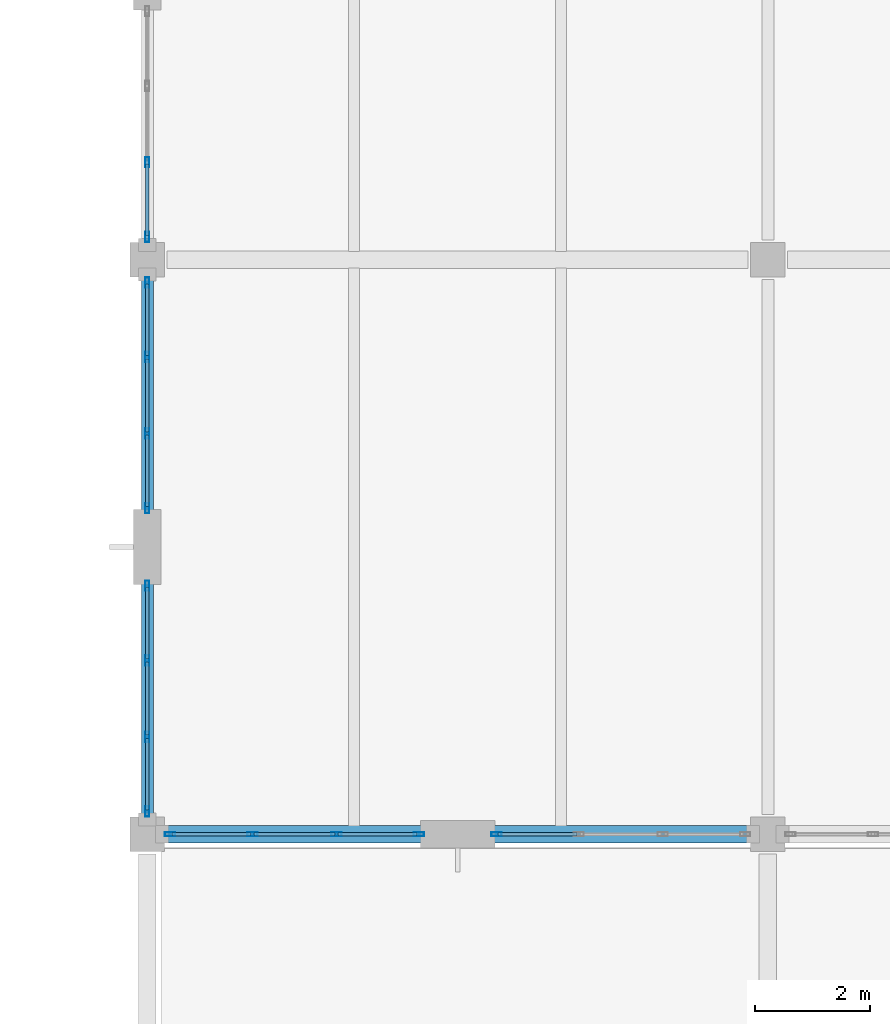
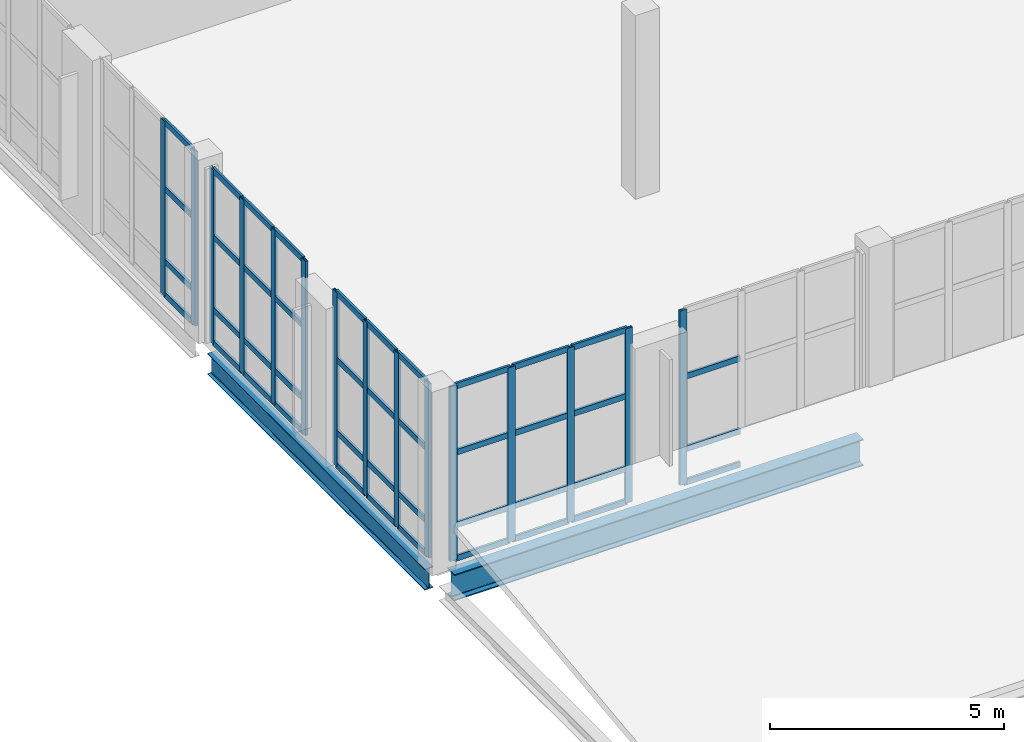
# One storey, part 25 of 100: 58 members, 2 beams, 5 elements without a shape of their own.
"""IFC4 building model written with IfcOpenShell, lengths in metres."""

from ifc_helpers import new_model, si_unit, direction, frame, origin, origin_2d, place, context, subcontext, project, spatial, hollow_rectangle, i_section, extrude, material, layer, layer_set, material_profile, profile_set, type_object, element, aggregate, save


model = new_model("IFC4")

# Units and contexts
model_context = context("Model", 3, precision=1e-05, world=origin(), true_north=direction((0.0, 1.0)))
body_context = subcontext(model_context, "Body", "Model", "MODEL_VIEW")
ifc_project = project(units=[si_unit("LENGTHUNIT", "METRE"), si_unit("AREAUNIT", "SQUARE_METRE"), si_unit("VOLUMEUNIT", "CUBIC_METRE"), si_unit("PLANEANGLEUNIT", "RADIAN"), si_unit("MASSUNIT", "GRAM", prefix="KILO")], contexts=[model_context])

# Site, building, storey
site_placement = place(None, origin())
site = spatial("IfcSite", under=ifc_project, at=site_placement, CompositionType="ELEMENT")
building_placement = place(site_placement, origin())
building = spatial("IfcBuilding", under=site, at=building_placement, Name="Tasgan Crest Museum", CompositionType="ELEMENT")
storey_placement = place(building_placement, frame((0.0, 0.0, 9.60009765625)))
storey = spatial("IfcBuildingStorey", under=building, at=storey_placement, Name="L02", CompositionType="ELEMENT", Elevation=9.60009765625)

# Beams
ifc_material_1 = material(Name="Steel S355K2", Category="steel")
ifc_material_profile_1 = material_profile(ifc_material_1, i_section(OverallWidth=0.300048828125, OverallDepth=0.68994140625, WebThickness=0.014404296875, FlangeThickness=0.027099609375, FilletRadius=0.027099609375, at=origin_2d()), Name="HEA 700")
ifc_profile_set_1 = profile_set([ifc_material_profile_1], Name="Steel S355K2")
beam_type_1 = type_object("IfcBeamType", Name="BM-G-HEA700", PredefinedType="BEAM", material=ifc_profile_set_1)
beam_1_placement = place(storey_placement, frame((108.345947265625, 20.0, -0.625), z_axis=(1.0, 0.0, 0.0), x_axis=(0.0, 1.0, 0.0)))
element("IfcBeam", 1, at=beam_1_placement, inside=storey, type_object=beam_type_1, Name="Girder L02 C 108.0-118.8", PredefinedType="BEAM", context=body_context, shape_type="SweptSolid", body=[
    extrude(i_section(OverallWidth=0.300048828125, OverallDepth=0.68994140625, WebThickness=0.014404296875, FlangeThickness=0.027099609375, FilletRadius=0.027099609375, at=origin_2d()), origin(), (0.0, 0.0, 1.0), 10.108154296875),
])
ifc_material_2 = material(Name="Steel S355J2", Category="steel")
ifc_material_profile_2 = material_profile(ifc_material_2, i_section(OverallWidth=0.2099609375, OverallDepth=0.550048828125, WebThickness=0.010986328125, FlangeThickness=0.01708984375, FilletRadius=0.02392578125, at=origin_2d()), Name="IPE 550")
ifc_profile_set_2 = profile_set([ifc_material_profile_2], Name="Steel S355J2")
beam_type_2 = type_object("IfcBeamType", Name="BM-G-IPE550", PredefinedType="BEAM", material=ifc_profile_set_2)
beam_2_placement = place(storey_placement, frame((108.0, 20.344970703125, -0.55517578125), z_axis=(0.0, 1.0, 0.0), x_axis=(-1.0, 0.0, 0.0)))
element("IfcBeam", 2, at=beam_2_placement, inside=storey, type_object=beam_type_2, Name="Beam L02 11 20.0-30.0", PredefinedType="BEAM", context=body_context, shape_type="SweptSolid", body=[
    extrude(i_section(OverallWidth=0.2099609375, OverallDepth=0.550048828125, WebThickness=0.010986328125, FlangeThickness=0.01708984375, FilletRadius=0.02392578125, at=origin_2d()), origin(), (0.0, 0.0, 1.0), 9.31005859375),
])

# Curtain wall, members
ifc_material_3 = material(Name="Triple-Glazed Aluminium Curtain Wall", Category="aluminium")
ifc_layer_1 = layer(ifc_material_3, 0.179931640625, Name="CW-GAL-Y-48")
ifc_layer_set_1 = layer_set([ifc_layer_1], Name="Triple-Glazed Aluminium Curtain Wall")
curtain_wall_type_1 = type_object("IfcCurtainWallType", Name="CW-GAL-Y-48", PredefinedType="NOTDEFINED", material=ifc_layer_set_1)
curtain_wall_1_placement = place(storey_placement, origin())
curtain_wall_1 = element("IfcCurtainWall", 3, at=curtain_wall_1_placement, inside=storey, type_object=curtain_wall_type_1, Name="Curtain wall L02 062", PredefinedType="NOTDEFINED")
ifc_material_4 = material(Name="Anodised Aluminium", Category="aluminium")
ifc_material_profile_3 = material_profile(ifc_material_4, hollow_rectangle(XDim=0.06494140625, YDim=0.179931640625, WallThickness=0.0048828125, at=origin_2d()), Name="ALU MULLION 180x65x5")
ifc_profile_set_3 = profile_set([ifc_material_profile_3], Name="Anodised Aluminium")
member_type_1 = type_object("IfcMemberType", Name="CW-MULLION-180", PredefinedType="MULLION", material=ifc_profile_set_3)
member_1_placement = place(storey_placement, frame((108.0, 31.695068359375, 0.0), z_axis=(0.0, 0.0, 1.0), x_axis=(1.0, 0.0, 0.0)))
member_1 = element("IfcMember", 4, at=member_1_placement, type_object=member_type_1, Name="CW16 mullion 3", PredefinedType="MULLION", context=body_context, shape_type="SweptSolid", body=[
    extrude(hollow_rectangle(XDim=0.06494140625, YDim=0.179931640625, WallThickness=0.0048828125, at=origin_2d()), origin(), (0.0, 0.0, 1.0), 4.559814453125),
])
member_2_placement = place(storey_placement, frame((108.0, 30.39501953125, 0.0), z_axis=(0.0, 0.0, 1.0), x_axis=(1.0, 0.0, 0.0)))
member_2 = element("IfcMember", 5, at=member_2_placement, type_object=member_type_1, Name="CW16 mullion 4", PredefinedType="MULLION", context=body_context, shape_type="SweptSolid", body=[
    extrude(hollow_rectangle(XDim=0.06494140625, YDim=0.179931640625, WallThickness=0.0048828125, at=origin_2d()), origin(), (0.0, 0.0, 1.0), 4.559814453125),
])

curtain_wall_2_placement = place(storey_placement, origin())
curtain_wall_2 = element("IfcCurtainWall", 6, at=curtain_wall_2_placement, inside=storey, type_object=curtain_wall_type_1, Name="Curtain wall L02 063", PredefinedType="NOTDEFINED")
member_3_placement = place(storey_placement, frame((108.0, 29.60498046875, 0.0), z_axis=(0.0, 0.0, 1.0), x_axis=(1.0, 0.0, 0.0)))
member_3 = element("IfcMember", 7, at=member_3_placement, type_object=member_type_1, Name="CW16 mullion 1", PredefinedType="MULLION", context=body_context, shape_type="SweptSolid", body=[
    extrude(hollow_rectangle(XDim=0.06494140625, YDim=0.179931640625, WallThickness=0.0048828125, at=origin_2d()), origin(), (0.0, 0.0, 1.0), 4.559814453125),
])
member_4_placement = place(storey_placement, frame((108.0, 28.304931640625, 0.0), z_axis=(0.0, 0.0, 1.0), x_axis=(1.0, 0.0, 0.0)))
member_4 = element("IfcMember", 8, at=member_4_placement, type_object=member_type_1, Name="CW16 mullion 2", PredefinedType="MULLION", context=body_context, shape_type="SweptSolid", body=[
    extrude(hollow_rectangle(XDim=0.06494140625, YDim=0.179931640625, WallThickness=0.0048828125, at=origin_2d()), origin(), (0.0, 0.0, 1.0), 4.559814453125),
])
member_5_placement = place(storey_placement, frame((108.0, 26.97509765625, 0.0), z_axis=(0.0, 0.0, 1.0), x_axis=(1.0, 0.0, 0.0)))
member_5 = element("IfcMember", 9, at=member_5_placement, type_object=member_type_1, Name="CW16 mullion 3", PredefinedType="MULLION", context=body_context, shape_type="SweptSolid", body=[
    extrude(hollow_rectangle(XDim=0.06494140625, YDim=0.179931640625, WallThickness=0.0048828125, at=origin_2d()), origin(), (0.0, 0.0, 1.0), 4.559814453125),
])
member_6_placement = place(storey_placement, frame((108.0, 25.675048828125, 0.0), z_axis=(0.0, 0.0, 1.0), x_axis=(1.0, 0.0, 0.0)))
member_6 = element("IfcMember", 10, at=member_6_placement, type_object=member_type_1, Name="CW16 mullion 4", PredefinedType="MULLION", context=body_context, shape_type="SweptSolid", body=[
    extrude(hollow_rectangle(XDim=0.06494140625, YDim=0.179931640625, WallThickness=0.0048828125, at=origin_2d()), origin(), (0.0, 0.0, 1.0), 4.559814453125),
])

curtain_wall_3_placement = place(storey_placement, origin())
curtain_wall_3 = element("IfcCurtainWall", 11, at=curtain_wall_3_placement, inside=storey, type_object=curtain_wall_type_1, Name="Curtain wall L02 064", PredefinedType="NOTDEFINED")
member_7_placement = place(storey_placement, frame((108.0, 24.324951171875, 0.0), z_axis=(0.0, 0.0, 1.0), x_axis=(1.0, 0.0, 0.0)))
member_7 = element("IfcMember", 12, at=member_7_placement, type_object=member_type_1, Name="CW16 mullion 1", PredefinedType="MULLION", context=body_context, shape_type="SweptSolid", body=[
    extrude(hollow_rectangle(XDim=0.06494140625, YDim=0.179931640625, WallThickness=0.0048828125, at=origin_2d()), origin(), (0.0, 0.0, 1.0), 4.559814453125),
])
member_8_placement = place(storey_placement, frame((108.0, 23.02490234375, 0.0), z_axis=(0.0, 0.0, 1.0), x_axis=(1.0, 0.0, 0.0)))
member_8 = element("IfcMember", 13, at=member_8_placement, type_object=member_type_1, Name="CW16 mullion 2", PredefinedType="MULLION", context=body_context, shape_type="SweptSolid", body=[
    extrude(hollow_rectangle(XDim=0.06494140625, YDim=0.179931640625, WallThickness=0.0048828125, at=origin_2d()), origin(), (0.0, 0.0, 1.0), 4.559814453125),
])
member_9_placement = place(storey_placement, frame((108.0, 21.695068359375, 0.0), z_axis=(0.0, 0.0, 1.0), x_axis=(1.0, 0.0, 0.0)))
member_9 = element("IfcMember", 14, at=member_9_placement, type_object=member_type_1, Name="CW16 mullion 3", PredefinedType="MULLION", context=body_context, shape_type="SweptSolid", body=[
    extrude(hollow_rectangle(XDim=0.06494140625, YDim=0.179931640625, WallThickness=0.0048828125, at=origin_2d()), origin(), (0.0, 0.0, 1.0), 4.559814453125),
])
member_10_placement = place(storey_placement, frame((108.0, 20.39501953125, 0.0), z_axis=(0.0, 0.0, 1.0), x_axis=(1.0, 0.0, 0.0)))
member_10 = element("IfcMember", 15, at=member_10_placement, type_object=member_type_1, Name="CW16 mullion 4", PredefinedType="MULLION", context=body_context, shape_type="SweptSolid", body=[
    extrude(hollow_rectangle(XDim=0.06494140625, YDim=0.179931640625, WallThickness=0.0048828125, at=origin_2d()), origin(), (0.0, 0.0, 1.0), 4.559814453125),
])

ifc_material_5 = material(Name="Triple-Glazed Aluminium Curtain Wall", Category="aluminium")
ifc_layer_2 = layer(ifc_material_5, 0.179931640625, Name="CW-GAL-X-48")
ifc_layer_set_2 = layer_set([ifc_layer_2], Name="Triple-Glazed Aluminium Curtain Wall")
curtain_wall_type_2 = type_object("IfcCurtainWallType", Name="CW-GAL-X-48", PredefinedType="NOTDEFINED", material=ifc_layer_set_2)
curtain_wall_4_placement = place(storey_placement, origin())
curtain_wall_4 = element("IfcCurtainWall", 16, at=curtain_wall_4_placement, inside=storey, type_object=curtain_wall_type_2, Name="Curtain wall L02 065", PredefinedType="NOTDEFINED")
member_11_placement = place(storey_placement, frame((108.39501953125, 20.0, 0.0), z_axis=(0.0, 0.0, 1.0), x_axis=(0.0, 1.0, 0.0)))
member_11 = element("IfcMember", 17, at=member_11_placement, type_object=member_type_1, Name="CW13 mullion 1", PredefinedType="MULLION", context=body_context, shape_type="SweptSolid", body=[
    extrude(hollow_rectangle(XDim=0.06494140625, YDim=0.179931640625, WallThickness=0.0048828125, at=origin_2d()), origin(), (0.0, 0.0, 1.0), 4.559814453125),
])
member_12_placement = place(storey_placement, frame((109.828369140625, 20.0, 0.0), z_axis=(0.0, 0.0, 1.0), x_axis=(0.0, 1.0, 0.0)))
member_12 = element("IfcMember", 18, at=member_12_placement, type_object=member_type_1, Name="CW13 mullion 2", PredefinedType="MULLION", context=body_context, shape_type="SweptSolid", body=[
    extrude(hollow_rectangle(XDim=0.06494140625, YDim=0.179931640625, WallThickness=0.0048828125, at=origin_2d()), origin(), (0.0, 0.0, 1.0), 4.559814453125),
])
member_13_placement = place(storey_placement, frame((111.291748046875, 20.0, 0.0), z_axis=(0.0, 0.0, 1.0), x_axis=(0.0, 1.0, 0.0)))
member_13 = element("IfcMember", 19, at=member_13_placement, type_object=member_type_1, Name="CW13 mullion 3", PredefinedType="MULLION", context=body_context, shape_type="SweptSolid", body=[
    extrude(hollow_rectangle(XDim=0.06494140625, YDim=0.179931640625, WallThickness=0.0048828125, at=origin_2d()), origin(), (0.0, 0.0, 1.0), 4.559814453125),
])
member_14_placement = place(storey_placement, frame((112.72509765625, 20.0, 0.0), z_axis=(0.0, 0.0, 1.0), x_axis=(0.0, 1.0, 0.0)))
member_14 = element("IfcMember", 20, at=member_14_placement, type_object=member_type_1, Name="CW13 mullion 4", PredefinedType="MULLION", context=body_context, shape_type="SweptSolid", body=[
    extrude(hollow_rectangle(XDim=0.06494140625, YDim=0.179931640625, WallThickness=0.0048828125, at=origin_2d()), origin(), (0.0, 0.0, 1.0), 4.559814453125),
])

# Curtain wall, member
curtain_wall_5_placement = place(storey_placement, origin())
curtain_wall_5 = element("IfcCurtainWall", 21, at=curtain_wall_5_placement, inside=storey, type_object=curtain_wall_type_2, Name="Curtain wall L02 066", PredefinedType="NOTDEFINED")
member_15_placement = place(storey_placement, frame((114.074951171875, 20.0, 0.0), z_axis=(0.0, 0.0, 1.0), x_axis=(0.0, 1.0, 0.0)))
member_15 = element("IfcMember", 22, at=member_15_placement, type_object=member_type_1, Name="CW13 mullion 1", PredefinedType="MULLION", context=body_context, shape_type="SweptSolid", body=[
    extrude(hollow_rectangle(XDim=0.06494140625, YDim=0.179931640625, WallThickness=0.0048828125, at=origin_2d()), origin(), (0.0, 0.0, 1.0), 4.559814453125),
])

# Member
ifc_material_6 = material(Name="Anodised Aluminium", Category="aluminium")
ifc_material_profile_4 = material_profile(ifc_material_6, hollow_rectangle(XDim=0.06005859375, YDim=0.14990234375, WallThickness=0.0048828125, at=origin_2d()), Name="ALU TRANSOM 150x60x5")
ifc_profile_set_4 = profile_set([ifc_material_profile_4], Name="Anodised Aluminium")
member_type_2 = type_object("IfcMemberType", Name="CW-TRANSOM-150", PredefinedType="USERDEFINED", material=ifc_profile_set_4)
member_16_placement = place(storey_placement, frame((108.0, 31.6650390625, 0.02978515625), z_axis=(0.0, -1.0, 0.0), x_axis=(1.0, 0.0, 0.0)))
member_16 = element("IfcMember", 23, at=member_16_placement, type_object=member_type_2, Name="CW16 transom 3.1", ObjectType="TRANSOM", PredefinedType="USERDEFINED", context=body_context, shape_type="SweptSolid", body=[
    extrude(hollow_rectangle(XDim=0.06005859375, YDim=0.14990234375, WallThickness=0.0048828125, at=origin_2d()), origin(), (0.0, 0.0, 1.0), 1.239990234375),
])

member_17_placement = place(storey_placement, frame((108.0, 31.6650390625, 0.89990234375), z_axis=(0.0, -1.0, 0.0), x_axis=(1.0, 0.0, 0.0)))
member_17 = element("IfcMember", 24, at=member_17_placement, type_object=member_type_2, Name="CW16 transom 3.2", ObjectType="TRANSOM", PredefinedType="USERDEFINED", context=body_context, shape_type="SweptSolid", body=[
    extrude(hollow_rectangle(XDim=0.06005859375, YDim=0.14990234375, WallThickness=0.0048828125, at=origin_2d()), origin(), (0.0, 0.0, 1.0), 1.239990234375),
])

member_18_placement = place(storey_placement, frame((108.0, 31.6650390625, 2.7998046875), z_axis=(0.0, -1.0, 0.0), x_axis=(1.0, 0.0, 0.0)))
member_18 = element("IfcMember", 25, at=member_18_placement, type_object=member_type_2, Name="CW16 transom 3.3", ObjectType="TRANSOM", PredefinedType="USERDEFINED", context=body_context, shape_type="SweptSolid", body=[
    extrude(hollow_rectangle(XDim=0.06005859375, YDim=0.14990234375, WallThickness=0.0048828125, at=origin_2d()), origin(), (0.0, 0.0, 1.0), 1.239990234375),
])

member_19_placement = place(storey_placement, frame((108.0, 31.6650390625, 4.52978515625), z_axis=(0.0, -1.0, 0.0), x_axis=(1.0, 0.0, 0.0)))
member_19 = element("IfcMember", 26, at=member_19_placement, type_object=member_type_2, Name="CW16 transom 3.4", ObjectType="TRANSOM", PredefinedType="USERDEFINED", context=body_context, shape_type="SweptSolid", body=[
    extrude(hollow_rectangle(XDim=0.06005859375, YDim=0.14990234375, WallThickness=0.0048828125, at=origin_2d()), origin(), (0.0, 0.0, 1.0), 1.239990234375),
])

aggregate(curtain_wall_1, [member_1, member_2, member_16, member_17, member_18, member_19])

member_20_placement = place(storey_placement, frame((108.0, 29.574951171875, 0.02978515625), z_axis=(0.0, -1.0, 0.0), x_axis=(1.0, 0.0, 0.0)))
member_20 = element("IfcMember", 27, at=member_20_placement, type_object=member_type_2, Name="CW16 transom 1.1", ObjectType="TRANSOM", PredefinedType="USERDEFINED", context=body_context, shape_type="SweptSolid", body=[
    extrude(hollow_rectangle(XDim=0.06005859375, YDim=0.14990234375, WallThickness=0.0048828125, at=origin_2d()), origin(), (0.0, 0.0, 1.0), 1.239990234375),
])

member_21_placement = place(storey_placement, frame((108.0, 29.574951171875, 0.89990234375), z_axis=(0.0, -1.0, 0.0), x_axis=(1.0, 0.0, 0.0)))
member_21 = element("IfcMember", 28, at=member_21_placement, type_object=member_type_2, Name="CW16 transom 1.2", ObjectType="TRANSOM", PredefinedType="USERDEFINED", context=body_context, shape_type="SweptSolid", body=[
    extrude(hollow_rectangle(XDim=0.06005859375, YDim=0.14990234375, WallThickness=0.0048828125, at=origin_2d()), origin(), (0.0, 0.0, 1.0), 1.239990234375),
])

member_22_placement = place(storey_placement, frame((108.0, 29.574951171875, 2.7998046875), z_axis=(0.0, -1.0, 0.0), x_axis=(1.0, 0.0, 0.0)))
member_22 = element("IfcMember", 29, at=member_22_placement, type_object=member_type_2, Name="CW16 transom 1.3", ObjectType="TRANSOM", PredefinedType="USERDEFINED", context=body_context, shape_type="SweptSolid", body=[
    extrude(hollow_rectangle(XDim=0.06005859375, YDim=0.14990234375, WallThickness=0.0048828125, at=origin_2d()), origin(), (0.0, 0.0, 1.0), 1.239990234375),
])

member_23_placement = place(storey_placement, frame((108.0, 29.574951171875, 4.52978515625), z_axis=(0.0, -1.0, 0.0), x_axis=(1.0, 0.0, 0.0)))
member_23 = element("IfcMember", 30, at=member_23_placement, type_object=member_type_2, Name="CW16 transom 1.4", ObjectType="TRANSOM", PredefinedType="USERDEFINED", context=body_context, shape_type="SweptSolid", body=[
    extrude(hollow_rectangle(XDim=0.06005859375, YDim=0.14990234375, WallThickness=0.0048828125, at=origin_2d()), origin(), (0.0, 0.0, 1.0), 1.239990234375),
])

member_24_placement = place(storey_placement, frame((108.0, 28.27490234375, 0.02978515625), z_axis=(0.0, -1.0, 0.0), x_axis=(1.0, 0.0, 0.0)))
member_24 = element("IfcMember", 31, at=member_24_placement, type_object=member_type_2, Name="CW16 transom 2.1", ObjectType="TRANSOM", PredefinedType="USERDEFINED", context=body_context, shape_type="SweptSolid", body=[
    extrude(hollow_rectangle(XDim=0.06005859375, YDim=0.14990234375, WallThickness=0.0048828125, at=origin_2d()), origin(), (0.0, 0.0, 1.0), 1.27001953125),
])

member_25_placement = place(storey_placement, frame((108.0, 28.27490234375, 0.89990234375), z_axis=(0.0, -1.0, 0.0), x_axis=(1.0, 0.0, 0.0)))
member_25 = element("IfcMember", 32, at=member_25_placement, type_object=member_type_2, Name="CW16 transom 2.2", ObjectType="TRANSOM", PredefinedType="USERDEFINED", context=body_context, shape_type="SweptSolid", body=[
    extrude(hollow_rectangle(XDim=0.06005859375, YDim=0.14990234375, WallThickness=0.0048828125, at=origin_2d()), origin(), (0.0, 0.0, 1.0), 1.27001953125),
])

member_26_placement = place(storey_placement, frame((108.0, 28.27490234375, 2.7998046875), z_axis=(0.0, -1.0, 0.0), x_axis=(1.0, 0.0, 0.0)))
member_26 = element("IfcMember", 33, at=member_26_placement, type_object=member_type_2, Name="CW16 transom 2.3", ObjectType="TRANSOM", PredefinedType="USERDEFINED", context=body_context, shape_type="SweptSolid", body=[
    extrude(hollow_rectangle(XDim=0.06005859375, YDim=0.14990234375, WallThickness=0.0048828125, at=origin_2d()), origin(), (0.0, 0.0, 1.0), 1.27001953125),
])

member_27_placement = place(storey_placement, frame((108.0, 28.27490234375, 4.52978515625), z_axis=(0.0, -1.0, 0.0), x_axis=(1.0, 0.0, 0.0)))
member_27 = element("IfcMember", 34, at=member_27_placement, type_object=member_type_2, Name="CW16 transom 2.4", ObjectType="TRANSOM", PredefinedType="USERDEFINED", context=body_context, shape_type="SweptSolid", body=[
    extrude(hollow_rectangle(XDim=0.06005859375, YDim=0.14990234375, WallThickness=0.0048828125, at=origin_2d()), origin(), (0.0, 0.0, 1.0), 1.27001953125),
])

member_28_placement = place(storey_placement, frame((108.0, 26.945068359375, 0.02978515625), z_axis=(0.0, -1.0, 0.0), x_axis=(1.0, 0.0, 0.0)))
member_28 = element("IfcMember", 35, at=member_28_placement, type_object=member_type_2, Name="CW16 transom 3.1", ObjectType="TRANSOM", PredefinedType="USERDEFINED", context=body_context, shape_type="SweptSolid", body=[
    extrude(hollow_rectangle(XDim=0.06005859375, YDim=0.14990234375, WallThickness=0.0048828125, at=origin_2d()), origin(), (0.0, 0.0, 1.0), 1.239990234375),
])

member_29_placement = place(storey_placement, frame((108.0, 26.945068359375, 0.89990234375), z_axis=(0.0, -1.0, 0.0), x_axis=(1.0, 0.0, 0.0)))
member_29 = element("IfcMember", 36, at=member_29_placement, type_object=member_type_2, Name="CW16 transom 3.2", ObjectType="TRANSOM", PredefinedType="USERDEFINED", context=body_context, shape_type="SweptSolid", body=[
    extrude(hollow_rectangle(XDim=0.06005859375, YDim=0.14990234375, WallThickness=0.0048828125, at=origin_2d()), origin(), (0.0, 0.0, 1.0), 1.239990234375),
])

member_30_placement = place(storey_placement, frame((108.0, 26.945068359375, 2.7998046875), z_axis=(0.0, -1.0, 0.0), x_axis=(1.0, 0.0, 0.0)))
member_30 = element("IfcMember", 37, at=member_30_placement, type_object=member_type_2, Name="CW16 transom 3.3", ObjectType="TRANSOM", PredefinedType="USERDEFINED", context=body_context, shape_type="SweptSolid", body=[
    extrude(hollow_rectangle(XDim=0.06005859375, YDim=0.14990234375, WallThickness=0.0048828125, at=origin_2d()), origin(), (0.0, 0.0, 1.0), 1.239990234375),
])

member_31_placement = place(storey_placement, frame((108.0, 26.945068359375, 4.52978515625), z_axis=(0.0, -1.0, 0.0), x_axis=(1.0, 0.0, 0.0)))
member_31 = element("IfcMember", 38, at=member_31_placement, type_object=member_type_2, Name="CW16 transom 3.4", ObjectType="TRANSOM", PredefinedType="USERDEFINED", context=body_context, shape_type="SweptSolid", body=[
    extrude(hollow_rectangle(XDim=0.06005859375, YDim=0.14990234375, WallThickness=0.0048828125, at=origin_2d()), origin(), (0.0, 0.0, 1.0), 1.239990234375),
])

aggregate(curtain_wall_2, [member_3, member_4, member_5, member_6, member_20, member_21, member_22, member_23, member_24, member_25, member_26, member_27, member_28, member_29, member_30, member_31])

member_32_placement = place(storey_placement, frame((108.0, 24.294921875, 0.02978515625), z_axis=(0.0, -1.0, 0.0), x_axis=(1.0, 0.0, 0.0)))
member_32 = element("IfcMember", 39, at=member_32_placement, type_object=member_type_2, Name="CW16 transom 1.1", ObjectType="TRANSOM", PredefinedType="USERDEFINED", context=body_context, shape_type="SweptSolid", body=[
    extrude(hollow_rectangle(XDim=0.06005859375, YDim=0.14990234375, WallThickness=0.0048828125, at=origin_2d()), origin(), (0.0, 0.0, 1.0), 1.239990234375),
])

member_33_placement = place(storey_placement, frame((108.0, 24.294921875, 0.89990234375), z_axis=(0.0, -1.0, 0.0), x_axis=(1.0, 0.0, 0.0)))
member_33 = element("IfcMember", 40, at=member_33_placement, type_object=member_type_2, Name="CW16 transom 1.2", ObjectType="TRANSOM", PredefinedType="USERDEFINED", context=body_context, shape_type="SweptSolid", body=[
    extrude(hollow_rectangle(XDim=0.06005859375, YDim=0.14990234375, WallThickness=0.0048828125, at=origin_2d()), origin(), (0.0, 0.0, 1.0), 1.239990234375),
])

member_34_placement = place(storey_placement, frame((108.0, 24.294921875, 2.7998046875), z_axis=(0.0, -1.0, 0.0), x_axis=(1.0, 0.0, 0.0)))
member_34 = element("IfcMember", 41, at=member_34_placement, type_object=member_type_2, Name="CW16 transom 1.3", ObjectType="TRANSOM", PredefinedType="USERDEFINED", context=body_context, shape_type="SweptSolid", body=[
    extrude(hollow_rectangle(XDim=0.06005859375, YDim=0.14990234375, WallThickness=0.0048828125, at=origin_2d()), origin(), (0.0, 0.0, 1.0), 1.239990234375),
])

member_35_placement = place(storey_placement, frame((108.0, 24.294921875, 4.52978515625), z_axis=(0.0, -1.0, 0.0), x_axis=(1.0, 0.0, 0.0)))
member_35 = element("IfcMember", 42, at=member_35_placement, type_object=member_type_2, Name="CW16 transom 1.4", ObjectType="TRANSOM", PredefinedType="USERDEFINED", context=body_context, shape_type="SweptSolid", body=[
    extrude(hollow_rectangle(XDim=0.06005859375, YDim=0.14990234375, WallThickness=0.0048828125, at=origin_2d()), origin(), (0.0, 0.0, 1.0), 1.239990234375),
])

member_36_placement = place(storey_placement, frame((108.0, 22.9951171875, 0.02978515625), z_axis=(0.0, -1.0, 0.0), x_axis=(1.0, 0.0, 0.0)))
member_36 = element("IfcMember", 43, at=member_36_placement, type_object=member_type_2, Name="CW16 transom 2.1", ObjectType="TRANSOM", PredefinedType="USERDEFINED", context=body_context, shape_type="SweptSolid", body=[
    extrude(hollow_rectangle(XDim=0.06005859375, YDim=0.14990234375, WallThickness=0.0048828125, at=origin_2d()), origin(), (0.0, 0.0, 1.0), 1.27001953125),
])

member_37_placement = place(storey_placement, frame((108.0, 22.9951171875, 0.89990234375), z_axis=(0.0, -1.0, 0.0), x_axis=(1.0, 0.0, 0.0)))
member_37 = element("IfcMember", 44, at=member_37_placement, type_object=member_type_2, Name="CW16 transom 2.2", ObjectType="TRANSOM", PredefinedType="USERDEFINED", context=body_context, shape_type="SweptSolid", body=[
    extrude(hollow_rectangle(XDim=0.06005859375, YDim=0.14990234375, WallThickness=0.0048828125, at=origin_2d()), origin(), (0.0, 0.0, 1.0), 1.27001953125),
])

member_38_placement = place(storey_placement, frame((108.0, 22.9951171875, 2.7998046875), z_axis=(0.0, -1.0, 0.0), x_axis=(1.0, 0.0, 0.0)))
member_38 = element("IfcMember", 45, at=member_38_placement, type_object=member_type_2, Name="CW16 transom 2.3", ObjectType="TRANSOM", PredefinedType="USERDEFINED", context=body_context, shape_type="SweptSolid", body=[
    extrude(hollow_rectangle(XDim=0.06005859375, YDim=0.14990234375, WallThickness=0.0048828125, at=origin_2d()), origin(), (0.0, 0.0, 1.0), 1.27001953125),
])

member_39_placement = place(storey_placement, frame((108.0, 22.9951171875, 4.52978515625), z_axis=(0.0, -1.0, 0.0), x_axis=(1.0, 0.0, 0.0)))
member_39 = element("IfcMember", 46, at=member_39_placement, type_object=member_type_2, Name="CW16 transom 2.4", ObjectType="TRANSOM", PredefinedType="USERDEFINED", context=body_context, shape_type="SweptSolid", body=[
    extrude(hollow_rectangle(XDim=0.06005859375, YDim=0.14990234375, WallThickness=0.0048828125, at=origin_2d()), origin(), (0.0, 0.0, 1.0), 1.27001953125),
])

member_40_placement = place(storey_placement, frame((108.0, 21.6650390625, 0.02978515625), z_axis=(0.0, -1.0, 0.0), x_axis=(1.0, 0.0, 0.0)))
member_40 = element("IfcMember", 47, at=member_40_placement, type_object=member_type_2, Name="CW16 transom 3.1", ObjectType="TRANSOM", PredefinedType="USERDEFINED", context=body_context, shape_type="SweptSolid", body=[
    extrude(hollow_rectangle(XDim=0.06005859375, YDim=0.14990234375, WallThickness=0.0048828125, at=origin_2d()), origin(), (0.0, 0.0, 1.0), 1.239990234375),
])

member_41_placement = place(storey_placement, frame((108.0, 21.6650390625, 0.89990234375), z_axis=(0.0, -1.0, 0.0), x_axis=(1.0, 0.0, 0.0)))
member_41 = element("IfcMember", 48, at=member_41_placement, type_object=member_type_2, Name="CW16 transom 3.2", ObjectType="TRANSOM", PredefinedType="USERDEFINED", context=body_context, shape_type="SweptSolid", body=[
    extrude(hollow_rectangle(XDim=0.06005859375, YDim=0.14990234375, WallThickness=0.0048828125, at=origin_2d()), origin(), (0.0, 0.0, 1.0), 1.239990234375),
])

member_42_placement = place(storey_placement, frame((108.0, 21.6650390625, 2.7998046875), z_axis=(0.0, -1.0, 0.0), x_axis=(1.0, 0.0, 0.0)))
member_42 = element("IfcMember", 49, at=member_42_placement, type_object=member_type_2, Name="CW16 transom 3.3", ObjectType="TRANSOM", PredefinedType="USERDEFINED", context=body_context, shape_type="SweptSolid", body=[
    extrude(hollow_rectangle(XDim=0.06005859375, YDim=0.14990234375, WallThickness=0.0048828125, at=origin_2d()), origin(), (0.0, 0.0, 1.0), 1.239990234375),
])

member_43_placement = place(storey_placement, frame((108.0, 21.6650390625, 4.52978515625), z_axis=(0.0, -1.0, 0.0), x_axis=(1.0, 0.0, 0.0)))
member_43 = element("IfcMember", 50, at=member_43_placement, type_object=member_type_2, Name="CW16 transom 3.4", ObjectType="TRANSOM", PredefinedType="USERDEFINED", context=body_context, shape_type="SweptSolid", body=[
    extrude(hollow_rectangle(XDim=0.06005859375, YDim=0.14990234375, WallThickness=0.0048828125, at=origin_2d()), origin(), (0.0, 0.0, 1.0), 1.239990234375),
])

aggregate(curtain_wall_3, [member_7, member_8, member_9, member_10, member_32, member_33, member_34, member_35, member_36, member_37, member_38, member_39, member_40, member_41, member_42, member_43])

member_44_placement = place(storey_placement, frame((108.425048828125, 20.0, 0.02978515625), z_axis=(1.0, 0.0, 0.0), x_axis=(0.0, 1.0, 0.0)))
member_44 = element("IfcMember", 51, at=member_44_placement, type_object=member_type_2, Name="CW13 transom 1.1", ObjectType="TRANSOM", PredefinedType="USERDEFINED", context=body_context, shape_type="SweptSolid", body=[
    extrude(hollow_rectangle(XDim=0.06005859375, YDim=0.14990234375, WallThickness=0.0048828125, at=origin_2d()), origin(), (0.0, 0.0, 1.0), 1.373291015625),
])

member_45_placement = place(storey_placement, frame((108.425048828125, 20.0, 0.89990234375), z_axis=(1.0, 0.0, 0.0), x_axis=(0.0, 1.0, 0.0)))
member_45 = element("IfcMember", 52, at=member_45_placement, type_object=member_type_2, Name="CW13 transom 1.2", ObjectType="TRANSOM", PredefinedType="USERDEFINED", context=body_context, shape_type="SweptSolid", body=[
    extrude(hollow_rectangle(XDim=0.06005859375, YDim=0.14990234375, WallThickness=0.0048828125, at=origin_2d()), origin(), (0.0, 0.0, 1.0), 1.373291015625),
])

member_46_placement = place(storey_placement, frame((108.425048828125, 20.0, 2.7998046875), z_axis=(1.0, 0.0, 0.0), x_axis=(0.0, 1.0, 0.0)))
member_46 = element("IfcMember", 53, at=member_46_placement, type_object=member_type_2, Name="CW13 transom 1.3", ObjectType="TRANSOM", PredefinedType="USERDEFINED", context=body_context, shape_type="SweptSolid", body=[
    extrude(hollow_rectangle(XDim=0.06005859375, YDim=0.14990234375, WallThickness=0.0048828125, at=origin_2d()), origin(), (0.0, 0.0, 1.0), 1.373291015625),
])

member_47_placement = place(storey_placement, frame((108.425048828125, 20.0, 4.52978515625), z_axis=(1.0, 0.0, 0.0), x_axis=(0.0, 1.0, 0.0)))
member_47 = element("IfcMember", 54, at=member_47_placement, type_object=member_type_2, Name="CW13 transom 1.4", ObjectType="TRANSOM", PredefinedType="USERDEFINED", context=body_context, shape_type="SweptSolid", body=[
    extrude(hollow_rectangle(XDim=0.06005859375, YDim=0.14990234375, WallThickness=0.0048828125, at=origin_2d()), origin(), (0.0, 0.0, 1.0), 1.373291015625),
])

member_48_placement = place(storey_placement, frame((109.8583984375, 20.0, 0.02978515625), z_axis=(1.0, 0.0, 0.0), x_axis=(0.0, 1.0, 0.0)))
member_48 = element("IfcMember", 55, at=member_48_placement, type_object=member_type_2, Name="CW13 transom 2.1", ObjectType="TRANSOM", PredefinedType="USERDEFINED", context=body_context, shape_type="SweptSolid", body=[
    extrude(hollow_rectangle(XDim=0.06005859375, YDim=0.14990234375, WallThickness=0.0048828125, at=origin_2d()), origin(), (0.0, 0.0, 1.0), 1.4033203125),
])

member_49_placement = place(storey_placement, frame((109.8583984375, 20.0, 0.89990234375), z_axis=(1.0, 0.0, 0.0), x_axis=(0.0, 1.0, 0.0)))
member_49 = element("IfcMember", 56, at=member_49_placement, type_object=member_type_2, Name="CW13 transom 2.2", ObjectType="TRANSOM", PredefinedType="USERDEFINED", context=body_context, shape_type="SweptSolid", body=[
    extrude(hollow_rectangle(XDim=0.06005859375, YDim=0.14990234375, WallThickness=0.0048828125, at=origin_2d()), origin(), (0.0, 0.0, 1.0), 1.4033203125),
])

member_50_placement = place(storey_placement, frame((109.8583984375, 20.0, 2.7998046875), z_axis=(1.0, 0.0, 0.0), x_axis=(0.0, 1.0, 0.0)))
member_50 = element("IfcMember", 57, at=member_50_placement, type_object=member_type_2, Name="CW13 transom 2.3", ObjectType="TRANSOM", PredefinedType="USERDEFINED", context=body_context, shape_type="SweptSolid", body=[
    extrude(hollow_rectangle(XDim=0.06005859375, YDim=0.14990234375, WallThickness=0.0048828125, at=origin_2d()), origin(), (0.0, 0.0, 1.0), 1.4033203125),
])

member_51_placement = place(storey_placement, frame((109.8583984375, 20.0, 4.52978515625), z_axis=(1.0, 0.0, 0.0), x_axis=(0.0, 1.0, 0.0)))
member_51 = element("IfcMember", 58, at=member_51_placement, type_object=member_type_2, Name="CW13 transom 2.4", ObjectType="TRANSOM", PredefinedType="USERDEFINED", context=body_context, shape_type="SweptSolid", body=[
    extrude(hollow_rectangle(XDim=0.06005859375, YDim=0.14990234375, WallThickness=0.0048828125, at=origin_2d()), origin(), (0.0, 0.0, 1.0), 1.4033203125),
])

member_52_placement = place(storey_placement, frame((111.32177734375, 20.0, 0.02978515625), z_axis=(1.0, 0.0, 0.0), x_axis=(0.0, 1.0, 0.0)))
member_52 = element("IfcMember", 59, at=member_52_placement, type_object=member_type_2, Name="CW13 transom 3.1", ObjectType="TRANSOM", PredefinedType="USERDEFINED", context=body_context, shape_type="SweptSolid", body=[
    extrude(hollow_rectangle(XDim=0.06005859375, YDim=0.14990234375, WallThickness=0.0048828125, at=origin_2d()), origin(), (0.0, 0.0, 1.0), 1.373291015625),
])

member_53_placement = place(storey_placement, frame((111.32177734375, 20.0, 0.89990234375), z_axis=(1.0, 0.0, 0.0), x_axis=(0.0, 1.0, 0.0)))
member_53 = element("IfcMember", 60, at=member_53_placement, type_object=member_type_2, Name="CW13 transom 3.2", ObjectType="TRANSOM", PredefinedType="USERDEFINED", context=body_context, shape_type="SweptSolid", body=[
    extrude(hollow_rectangle(XDim=0.06005859375, YDim=0.14990234375, WallThickness=0.0048828125, at=origin_2d()), origin(), (0.0, 0.0, 1.0), 1.373291015625),
])

member_54_placement = place(storey_placement, frame((111.32177734375, 20.0, 2.7998046875), z_axis=(1.0, 0.0, 0.0), x_axis=(0.0, 1.0, 0.0)))
member_54 = element("IfcMember", 61, at=member_54_placement, type_object=member_type_2, Name="CW13 transom 3.3", ObjectType="TRANSOM", PredefinedType="USERDEFINED", context=body_context, shape_type="SweptSolid", body=[
    extrude(hollow_rectangle(XDim=0.06005859375, YDim=0.14990234375, WallThickness=0.0048828125, at=origin_2d()), origin(), (0.0, 0.0, 1.0), 1.373291015625),
])

member_55_placement = place(storey_placement, frame((111.32177734375, 20.0, 4.52978515625), z_axis=(1.0, 0.0, 0.0), x_axis=(0.0, 1.0, 0.0)))
member_55 = element("IfcMember", 62, at=member_55_placement, type_object=member_type_2, Name="CW13 transom 3.4", ObjectType="TRANSOM", PredefinedType="USERDEFINED", context=body_context, shape_type="SweptSolid", body=[
    extrude(hollow_rectangle(XDim=0.06005859375, YDim=0.14990234375, WallThickness=0.0048828125, at=origin_2d()), origin(), (0.0, 0.0, 1.0), 1.373291015625),
])

aggregate(curtain_wall_4, [member_11, member_12, member_13, member_14, member_44, member_45, member_46, member_47, member_48, member_49, member_50, member_51, member_52, member_53, member_54, member_55])

member_56_placement = place(storey_placement, frame((114.10498046875, 20.0, 0.02978515625), z_axis=(1.0, 0.0, 0.0), x_axis=(0.0, 1.0, 0.0)))
member_56 = element("IfcMember", 63, at=member_56_placement, type_object=member_type_2, Name="CW13 transom 1.1", ObjectType="TRANSOM", PredefinedType="USERDEFINED", context=body_context, shape_type="SweptSolid", body=[
    extrude(hollow_rectangle(XDim=0.06005859375, YDim=0.14990234375, WallThickness=0.0048828125, at=origin_2d()), origin(), (0.0, 0.0, 1.0), 1.373291015625),
])

member_57_placement = place(storey_placement, frame((114.10498046875, 20.0, 0.89990234375), z_axis=(1.0, 0.0, 0.0), x_axis=(0.0, 1.0, 0.0)))
member_57 = element("IfcMember", 64, at=member_57_placement, type_object=member_type_2, Name="CW13 transom 1.2", ObjectType="TRANSOM", PredefinedType="USERDEFINED", context=body_context, shape_type="SweptSolid", body=[
    extrude(hollow_rectangle(XDim=0.06005859375, YDim=0.14990234375, WallThickness=0.0048828125, at=origin_2d()), origin(), (0.0, 0.0, 1.0), 1.373291015625),
])

member_58_placement = place(storey_placement, frame((114.10498046875, 20.0, 2.7998046875), z_axis=(1.0, 0.0, 0.0), x_axis=(0.0, 1.0, 0.0)))
member_58 = element("IfcMember", 65, at=member_58_placement, type_object=member_type_2, Name="CW13 transom 1.3", ObjectType="TRANSOM", PredefinedType="USERDEFINED", context=body_context, shape_type="SweptSolid", body=[
    extrude(hollow_rectangle(XDim=0.06005859375, YDim=0.14990234375, WallThickness=0.0048828125, at=origin_2d()), origin(), (0.0, 0.0, 1.0), 1.373291015625),
])

aggregate(curtain_wall_5, [member_15, member_56, member_57, member_58])

save(model, "model.ifc")
